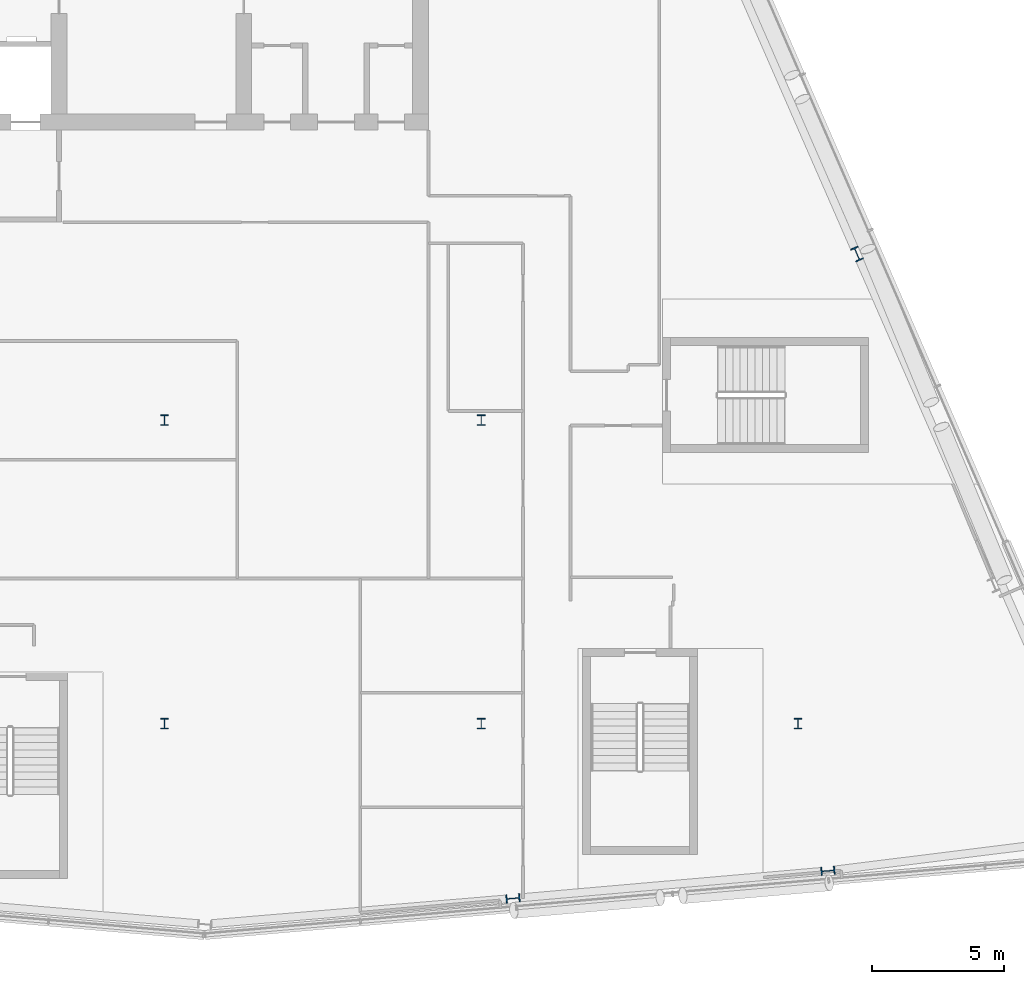
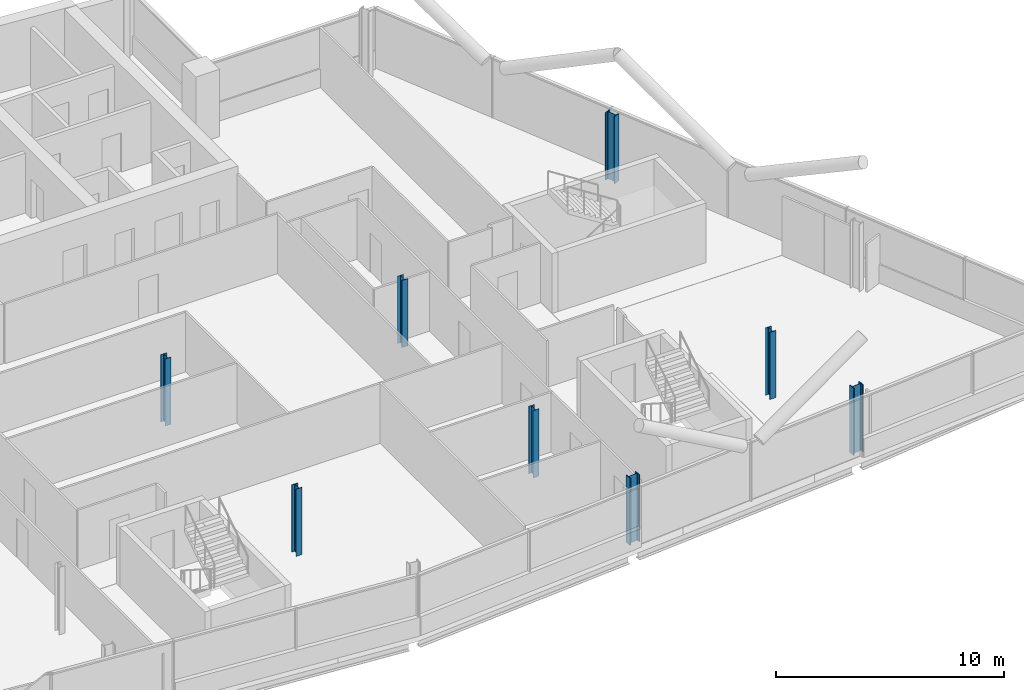
# One storey, part 2 of 27: 8 columns.
"""IFC4 building model written with IfcOpenShell, lengths in metres."""

from ifc_helpers import new_model, si_unit, direction, frame, origin, origin_2d, place, context, subcontext, project, spatial, i_section, extrude, material, material_profile, profile_set, type_object, element, save


model = new_model("IFC4")

# Units and contexts
model_context = context("Model", 3, precision=1e-05, world=origin(), true_north=direction((0.0, 1.0)))
body_context = subcontext(model_context, "Body", "Model", "MODEL_VIEW")
ifc_project = project(units=[si_unit("LENGTHUNIT", "METRE"), si_unit("AREAUNIT", "SQUARE_METRE"), si_unit("VOLUMEUNIT", "CUBIC_METRE"), si_unit("PLANEANGLEUNIT", "RADIAN"), si_unit("MASSUNIT", "GRAM", prefix="KILO")], contexts=[model_context])

# Site, building, storey
site_placement = place(None, origin())
site = spatial("IfcSite", under=ifc_project, at=site_placement, CompositionType="ELEMENT")
building_placement = place(site_placement, origin())
building = spatial("IfcBuilding", under=site, at=building_placement, Name="Wharfspan Tower", CompositionType="ELEMENT")
storey_placement = place(building_placement, frame((0.0, 0.0, 228.699951)))
storey = spatial("IfcBuildingStorey", under=building, at=storey_placement, Name="L57", CompositionType="ELEMENT", Elevation=228.699951)

# Columns
ifc_material = material(Name="Steel S355J2", Category="steel")
ifc_material_profile_1 = material_profile(ifc_material, i_section(OverallWidth=0.300049, OverallDepth=0.399902, WebThickness=0.013428, FlangeThickness=0.023926, FilletRadius=0.0271, at=origin_2d()))
ifc_profile_set_1 = profile_set([ifc_material_profile_1], Name="Steel S355J2")
column_type_1 = type_object("IfcColumnType", Name="Column HEB 400", PredefinedType="COLUMN", material=ifc_profile_set_1)
for number, where, z_axis, x_axis, name in (
    (1, (48.0, 11.5, 0.0), (0.0, 0.0, 1.0), (1.0, 0.0, 0.0), "Interior column I.1.3 L57"),
    (2, (60.0, 11.5, 0.0), (0.0, 0.0, 1.0), (1.0, 0.0, 0.0), "Interior column I.1.4 L57"),
    (3, (72.0, 11.5, 0.0), (0.0, 0.0, 1.0), (1.0, 0.0, 0.0), "Interior column I.1.5 L57"),
    (4, (48.0, 23.0, 0.0), (0.0, 0.0, 1.0), (1.0, 0.0, 0.0), "Interior column I.2.3 L57"),
    (5, (60.0, 23.0, 0.0), (0.0, 0.0, 1.0), (1.0, 0.0, 0.0), "Interior column I.2.4 L57"),
):
    element("IfcColumn", number, at=place(storey_placement, frame(where, z_axis=z_axis, x_axis=x_axis)), inside=storey, type_object=column_type_1, Name=name, PredefinedType="COLUMN", context=body_context, shape_type="SweptSolid", body=[
        extrude(i_section(OverallWidth=0.300049, OverallDepth=0.399902, WebThickness=0.013428, FlangeThickness=0.023926, FilletRadius=0.0271, at=origin_2d()), origin(), (0.0, 0.0, 1.0), 3.600098),
    ])
ifc_material_profile_2 = material_profile(ifc_material, i_section(OverallWidth=0.305908, OverallDepth=0.523926, WebThickness=0.020996, FlangeThickness=0.040039, FilletRadius=0.0271, at=origin_2d()))
ifc_profile_set_2 = profile_set([ifc_material_profile_2], Name="Steel S355J2")
column_type_2 = type_object("IfcColumnType", Name="Column HEM 500", PredefinedType="COLUMN", material=ifc_profile_set_2)
for number, where, z_axis, x_axis, name in (
    (6, (61.202393, 4.879395, 0.0), (0.0, 0.0, 1.0), (0.087156, -0.996197, 0.0), "Perimeter column PS2.1 L57"),
    (7, (73.135254, 5.92334, 0.0), (0.0, 0.0, 1.0), (0.087156, -0.996197, 0.0), "Perimeter column PS2.2 L57"),
    (8, (74.235352, 29.294922, 0.0), (0.0, 0.0, 1.0), (0.917072, 0.398727, 0.0), "Perimeter column PE.2 L57"),
):
    element("IfcColumn", number, at=place(storey_placement, frame(where, z_axis=z_axis, x_axis=x_axis)), inside=storey, type_object=column_type_2, Name=name, PredefinedType="COLUMN", context=body_context, shape_type="SweptSolid", body=[
        extrude(i_section(OverallWidth=0.305908, OverallDepth=0.523926, WebThickness=0.020996, FlangeThickness=0.040039, FilletRadius=0.0271, at=origin_2d()), origin(), (0.0, 0.0, 1.0), 3.600098),
    ])

save(model, "model.ifc")
